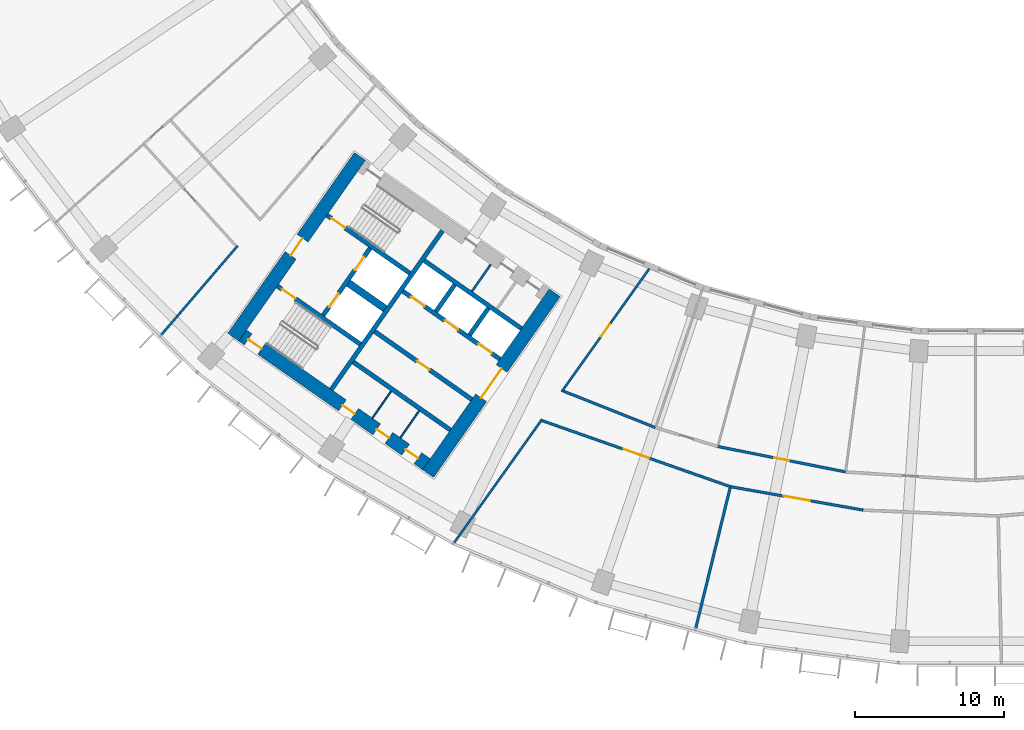
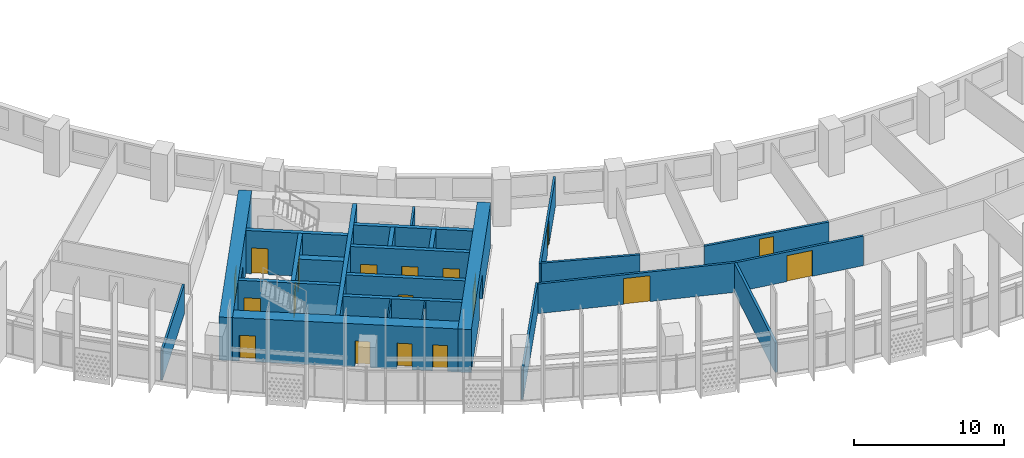
# One storey, part 3 of 29: 25 walls, 18 doors, 18 openings.
"""IFC4 building model written with IfcOpenShell, lengths in metres."""

from ifc_helpers import new_model, si_unit, direction, frame, frame_2d, origin, place, context, subcontext, project, spatial, rectangle, extrude, material, layer, layer_set, type_object, element, fill, save


model = new_model("IFC4")

# Units and contexts
model_context = context("Model", 3, precision=1e-05, world=origin(), true_north=direction((0.0, 1.0)))
body_context = subcontext(model_context, "Body", "Model", "MODEL_VIEW")
ifc_project = project(units=[si_unit("LENGTHUNIT", "METRE"), si_unit("AREAUNIT", "SQUARE_METRE"), si_unit("VOLUMEUNIT", "CUBIC_METRE"), si_unit("PLANEANGLEUNIT", "RADIAN"), si_unit("MASSUNIT", "GRAM", prefix="KILO")], contexts=[model_context])

# Site, building, storey
site_placement = place(None, origin())
site = spatial("IfcSite", under=ifc_project, at=site_placement, CompositionType="ELEMENT")
building_placement = place(site_placement, origin())
building = spatial("IfcBuilding", under=site, at=building_placement, Name="Qamariyya Broadcast Tower", CompositionType="ELEMENT")
storey_placement = place(building_placement, frame((0.0, 0.0, 132.89990234375)))
storey = spatial("IfcBuildingStorey", under=building, at=storey_placement, Name="L30", CompositionType="ELEMENT", Elevation=132.89990234375)

# Wall, opening, door
ifc_material_1 = material(Name="Concrete C70/85", Category="concrete")
ifc_layer_1 = layer(ifc_material_1, 0.89990234375)
ifc_layer_set_1 = layer_set([ifc_layer_1], Name="Core wall 900 mm Concrete C70/85")
wall_type_1 = type_object("IfcWallType", Name="Core wall 900 mm Concrete C70/85", PredefinedType="SHEAR", material=ifc_layer_set_1)
wall_1_placement = place(storey_placement, frame((-36.716796875, -66.3369140625, 0.0), z_axis=(0.0, 0.0, 1.0), x_axis=(0.573577477574, 0.819151315216, 0.0)))
wall_1 = element("IfcWall", 1, at=wall_1_placement, inside=storey, type_object=wall_type_1, Name="k-W-L30-WA", PredefinedType="SHEAR", context=body_context, shape_type="SweptSolid", body=[
    extrude(rectangle(XDim=14.800048828125, YDim=0.89990234375, at=frame_2d((7.39990234375, 0.0))), origin(), (0.0, 0.0, 1.0), 3.5),
])
opening_1_placement = place(wall_1_placement, frame((6.199951171875, 0.0, 0.0)))
opening_1 = element("IfcOpeningElement", 2, at=opening_1_placement, cuts=wall_1, Name="Opening KD3-W1", PredefinedType="OPENING", context=body_context, shape_type="SweptSolid", body=[
    extrude(rectangle(XDim=2.39990234375, YDim=2.10009765625, at=frame_2d((1.199951171875, 1.050048828125))), frame((0.0, 0.4599609375, 0.0), z_axis=(0.0, -1.0, 0.0), x_axis=(1.0, 0.0, 0.0)), (0.0, 0.0, 1.0), 0.919921875),
])
ifc_material_2 = material(Name="Steel fire-resisting door leaf", Category="steel")
door_type_1 = type_object("IfcDoorType", Name="Lift lobby door KD3", OperationType="DOUBLE_DOOR_SINGLE_SWING", PredefinedType="DOOR", material=ifc_material_2)
door_1_placement = place(opening_1_placement, origin())
door_1 = element("IfcDoor", 3, at=door_1_placement, inside=storey, type_object=door_type_1, Name="k-W-L30-WA-D1", OperationType="DOUBLE_DOOR_SINGLE_SWING", OverallHeight=2.10009765625, OverallWidth=2.39990234375, PredefinedType="DOOR", context=body_context, shape_type="SweptSolid", body=[
    extrude(rectangle(XDim=2.39990234375, YDim=2.10009765625, at=frame_2d((1.199951171875, 1.050048828125))), frame((0.0, 0.02490234375, 0.0), z_axis=(0.0, -1.0, 0.0), x_axis=(1.0, 0.0, 0.0)), (0.0, 0.0, 1.0), 0.050048828125),
])
fill(opening_1, door_1)

wall_2_placement = place(storey_placement, frame((-49.778564453125, -57.191162109375, 0.0), z_axis=(0.0, 0.0, 1.0), x_axis=(0.573577477574, 0.819151315216, 0.0)))
wall_2 = element("IfcWall", 4, at=wall_2_placement, inside=storey, type_object=wall_type_1, Name="k-W-L30-WH", PredefinedType="SHEAR", context=body_context, shape_type="SweptSolid", body=[
    extrude(rectangle(XDim=14.800048828125, YDim=0.89990234375, at=frame_2d((7.39990234375, 0.0))), origin(), (0.0, 0.0, 1.0), 3.5),
])
opening_2_placement = place(wall_2_placement, frame((6.699951171875, 0.0, 0.0)))
opening_2 = element("IfcOpeningElement", 5, at=opening_2_placement, cuts=wall_2, Name="Opening KD2-W1", PredefinedType="OPENING", context=body_context, shape_type="SweptSolid", body=[
    extrude(rectangle(XDim=1.39990234375, YDim=2.10009765625, at=frame_2d((0.699951171875, 1.050048828125))), frame((0.0, 0.4599609375, 0.0), z_axis=(0.0, -1.0, 0.0), x_axis=(1.0, 0.0, 0.0)), (0.0, 0.0, 1.0), 0.919921875),
])
door_type_2 = type_object("IfcDoorType", Name="Fire-fighting lobby door KD2", OperationType="DOUBLE_DOOR_SINGLE_SWING", PredefinedType="DOOR", material=ifc_material_2)
door_2_placement = place(opening_2_placement, origin())
door_2 = element("IfcDoor", 6, at=door_2_placement, inside=storey, type_object=door_type_2, Name="k-W-L30-WH-D14", OperationType="DOUBLE_DOOR_SINGLE_SWING", OverallHeight=2.10009765625, OverallWidth=1.39990234375, PredefinedType="DOOR", context=body_context, shape_type="SweptSolid", body=[
    extrude(rectangle(XDim=1.39990234375, YDim=2.10009765625, at=frame_2d((0.699951171875, 1.050048828125))), frame((0.0, 0.02490234375, 0.0), z_axis=(0.0, -1.0, 0.0), x_axis=(1.0, 0.0, 0.0)), (0.0, 0.0, 1.0), 0.050048828125),
])
fill(opening_2, door_2)

# Wall, openings, doors
wall_3_placement = place(storey_placement, frame((-36.827392578125, -65.710205078125, 0.0), z_axis=(0.0, 0.0, 1.0), x_axis=(-0.819153391756, 0.573574511963, 0.0)))
wall_3 = element("IfcWall", 7, at=wall_3_placement, inside=storey, type_object=wall_type_1, Name="k-W-L30-WO", PredefinedType="SHEAR", context=body_context, shape_type="SweptSolid", body=[
    extrude(rectangle(XDim=15.04541015625, YDim=0.89990234375, at=frame_2d((7.522705078125, 0.0))), origin(), (0.0, 0.0, 1.0), 3.5),
])
opening_3_placement = place(wall_3_placement, frame((0.699951171875, 0.0, 0.0)))
opening_3 = element("IfcOpeningElement", 8, at=opening_3_placement, cuts=wall_3, Name="Opening KD6-W3", PredefinedType="OPENING", context=body_context, shape_type="SweptSolid", body=[
    extrude(rectangle(XDim=1.0, YDim=2.10009765625, at=frame_2d((0.5, 1.050048828125))), frame((0.0, 0.4599609375, 0.0), z_axis=(0.0, -1.0, 0.0), x_axis=(1.0, 0.0, 0.0)), (0.0, 0.0, 1.0), 0.919921875),
])
opening_4_placement = place(wall_3_placement, frame((3.074951171875, 0.0, 0.0)))
opening_4 = element("IfcOpeningElement", 9, at=opening_4_placement, cuts=wall_3, Name="Opening KD4-W1", PredefinedType="OPENING", context=body_context, shape_type="SweptSolid", body=[
    extrude(rectangle(XDim=1.0, YDim=2.10009765625, at=frame_2d((0.5, 1.050048828125))), frame((0.0, 0.4599609375, 0.0), z_axis=(0.0, -1.0, 0.0), x_axis=(1.0, 0.0, 0.0)), (0.0, 0.0, 1.0), 0.919921875),
])
opening_5_placement = place(wall_3_placement, frame((5.875, 0.0, 0.0)))
opening_5 = element("IfcOpeningElement", 10, at=opening_5_placement, cuts=wall_3, Name="Opening KD4-W2", PredefinedType="OPENING", context=body_context, shape_type="SweptSolid", body=[
    extrude(rectangle(XDim=1.0, YDim=2.10009765625, at=frame_2d((0.5, 1.050048828125))), frame((0.0, 0.4599609375, 0.0), z_axis=(0.0, -1.0, 0.0), x_axis=(1.0, 0.0, 0.0)), (0.0, 0.0, 1.0), 0.919921875),
])
opening_6_placement = place(wall_3_placement, frame((13.495361328125, 0.0, 0.0)))
opening_6 = element("IfcOpeningElement", 11, at=opening_6_placement, cuts=wall_3, Name="Opening KD1-W3", PredefinedType="OPENING", context=body_context, shape_type="SweptSolid", body=[
    extrude(rectangle(XDim=1.10009765625, YDim=2.10009765625, at=frame_2d((0.550048828125, 1.050048828125))), frame((0.0, 0.4599609375, 0.0), z_axis=(0.0, -1.0, 0.0), x_axis=(1.0, 0.0, 0.0)), (0.0, 0.0, 1.0), 0.919921875),
])
door_type_3 = type_object("IfcDoorType", Name="Core room door KD6", OperationType="SINGLE_SWING_LEFT", PredefinedType="DOOR", material=ifc_material_2)
door_3_placement = place(opening_3_placement, origin())
door_3 = element("IfcDoor", 12, at=door_3_placement, inside=storey, type_object=door_type_3, Name="k-W-L30-WO-D9", OperationType="SINGLE_SWING_RIGHT", OverallHeight=2.10009765625, OverallWidth=1.0, PredefinedType="DOOR", context=body_context, shape_type="SweptSolid", body=[
    extrude(rectangle(XDim=1.0, YDim=2.10009765625, at=frame_2d((0.5, 1.050048828125))), frame((0.0, 0.02490234375, 0.0), z_axis=(0.0, -1.0, 0.0), x_axis=(1.0, 0.0, 0.0)), (0.0, 0.0, 1.0), 0.050048828125),
])
fill(opening_3, door_3)
door_type_4 = type_object("IfcDoorType", Name="Riser and plant door KD4", OperationType="SINGLE_SWING_LEFT", PredefinedType="DOOR", material=ifc_material_2)
door_4_placement = place(opening_4_placement, origin())
door_4 = element("IfcDoor", 13, at=door_4_placement, inside=storey, type_object=door_type_4, Name="k-W-L30-WO-D10", OperationType="SINGLE_SWING_LEFT", OverallHeight=2.10009765625, OverallWidth=1.0, PredefinedType="DOOR", context=body_context, shape_type="SweptSolid", body=[
    extrude(rectangle(XDim=1.0, YDim=2.10009765625, at=frame_2d((0.5, 1.050048828125))), frame((0.0, 0.02490234375, 0.0), z_axis=(0.0, -1.0, 0.0), x_axis=(1.0, 0.0, 0.0)), (0.0, 0.0, 1.0), 0.050048828125),
])
fill(opening_4, door_4)
door_5_placement = place(opening_5_placement, origin())
door_5 = element("IfcDoor", 14, at=door_5_placement, inside=storey, type_object=door_type_4, Name="k-W-L30-WO-D11", OperationType="SINGLE_SWING_RIGHT", OverallHeight=2.10009765625, OverallWidth=1.0, PredefinedType="DOOR", context=body_context, shape_type="SweptSolid", body=[
    extrude(rectangle(XDim=1.0, YDim=2.10009765625, at=frame_2d((0.5, 1.050048828125))), frame((0.0, 0.02490234375, 0.0), z_axis=(0.0, -1.0, 0.0), x_axis=(1.0, 0.0, 0.0)), (0.0, 0.0, 1.0), 0.050048828125),
])
fill(opening_5, door_5)
door_type_5 = type_object("IfcDoorType", Name="Stair door KD1", OperationType="SINGLE_SWING_LEFT", PredefinedType="DOOR", material=ifc_material_2)
door_6_placement = place(opening_6_placement, origin())
door_6 = element("IfcDoor", 15, at=door_6_placement, inside=storey, type_object=door_type_5, Name="k-W-L30-WO-D17", OperationType="SINGLE_SWING_LEFT", OverallHeight=2.10009765625, OverallWidth=1.10009765625, PredefinedType="DOOR", context=body_context, shape_type="SweptSolid", body=[
    extrude(rectangle(XDim=1.10009765625, YDim=2.10009765625, at=frame_2d((0.550048828125, 1.050048828125))), frame((0.0, 0.02490234375, 0.0), z_axis=(0.0, -1.0, 0.0), x_axis=(1.0, 0.0, 0.0)), (0.0, 0.0, 1.0), 0.050048828125),
])
fill(opening_6, door_6)

# Walls
ifc_material_3 = material(Name="Gypsum board partition")
ifc_layer_2 = layer(ifc_material_3, 0.14990234375)
ifc_layer_set_2 = layer_set([ifc_layer_2], Name="Corridor partition 150 EI 60")
wall_type_2 = type_object("IfcWallType", Name="Corridor partition 150 EI 60", PredefinedType="PARTITIONING", material=ifc_layer_set_2)
wall_4_placement = place(storey_placement, frame((-49.498779296875, -51.074951171875, 0.0), z_axis=(0.0, 0.0, 1.0), x_axis=(-0.65099144956, -0.759085062823, 0.0)))
element("IfcWall", 16, at=wall_4_placement, inside=storey, type_object=wall_type_2, Name="Partition L30-005", PredefinedType="PARTITIONING", context=body_context, shape_type="SweptSolid", body=[
    extrude(rectangle(XDim=7.83740234375, YDim=0.14990234375, at=frame_2d((3.918701171875, 0.0))), origin(), (0.0, 0.0, 1.0), 2.400146484375),
])
wall_5_placement = place(storey_placement, frame((-29.075439453125, -62.697998046875, 0.0), z_axis=(0.0, 0.0, 1.0), x_axis=(-0.58002146853, -0.814601188339, 0.0)))
element("IfcWall", 17, at=wall_5_placement, inside=storey, type_object=wall_type_2, Name="Partition L30-008", PredefinedType="PARTITIONING", context=body_context, shape_type="SweptSolid", body=[
    extrude(rectangle(XDim=10.14111328125, YDim=0.14990234375, at=frame_2d((5.070556640625, 0.0))), origin(), (0.0, 0.0, 1.0), 2.400146484375),
])

# Wall, opening, door
wall_6_placement = place(storey_placement, frame((-21.8837890625, -52.59765625, 0.0), z_axis=(0.0, 0.0, 1.0), x_axis=(-0.580023139251, -0.814599998732, 0.0)))
wall_6 = element("IfcWall", 18, at=wall_6_placement, inside=storey, type_object=wall_type_2, Name="Partition L30-011", PredefinedType="PARTITIONING", context=body_context, shape_type="SweptSolid", body=[
    extrude(rectangle(XDim=10.135986328125, YDim=0.14990234375, at=frame_2d((5.06787109375, 0.0))), origin(), (0.0, 0.0, 1.0), 2.400146484375),
])
opening_7_placement = place(wall_6_placement, frame((4.568115234375, 0.0, 0.0)))
opening_7 = element("IfcOpeningElement", 19, at=opening_7_placement, cuts=wall_6, Name="Opening L30-D05", PredefinedType="OPENING", context=body_context, shape_type="SweptSolid", body=[
    extrude(rectangle(XDim=1.0, YDim=2.10009765625, at=frame_2d((0.5, 1.050048828125))), frame((0.0, 0.0849609375, 0.0), z_axis=(0.0, -1.0, 0.0), x_axis=(1.0, 0.0, 0.0)), (0.0, 0.0, 1.0), 0.169921875),
])
ifc_material_4 = material(Name="Timber fire door leaf", Category="wood")
door_type_6 = type_object("IfcDoorType", Name="Fire door 1000 x 2100 FD60", OperationType="NOTDEFINED", PredefinedType="DOOR", material=ifc_material_4)
door_7_placement = place(opening_7_placement, origin())
door_7 = element("IfcDoor", 20, at=door_7_placement, inside=storey, type_object=door_type_6, Name="Door L30-D05", OperationType="SINGLE_SWING_RIGHT", OverallHeight=2.10009765625, OverallWidth=1.0, PredefinedType="DOOR", context=body_context, shape_type="SweptSolid", body=[
    extrude(rectangle(XDim=1.0, YDim=2.10009765625, at=frame_2d((0.5, 1.050048828125))), frame((0.0, 0.02490234375, 0.0), z_axis=(0.0, -1.0, 0.0), x_axis=(1.0, 0.0, 0.0)), (0.0, 0.0, 1.0), 0.050048828125),
])
fill(opening_7, door_7)

# Walls
ifc_material_5 = material(Name="Concrete C60/75", Category="concrete")
ifc_layer_3 = layer(ifc_material_5, 0.5)
ifc_layer_set_3 = layer_set([ifc_layer_3], Name="Fire-fighting lobby divider wall 500 mm Concrete C60/75")
wall_type_3 = type_object("IfcWallType", Name="Fire-fighting lobby divider wall 500 mm Concrete C60/75", PredefinedType="SOLIDWALL", material=ifc_layer_set_3)
wall_7_placement = place(storey_placement, frame((-39.59912109375, -55.28515625, 0.0), z_axis=(0.0, 0.0, 1.0), x_axis=(-0.819136323161, 0.573598887793, 0.0)))
element("IfcWall", 21, at=wall_7_placement, inside=storey, type_object=wall_type_3, Name="k-W-L30-FD", PredefinedType="SOLIDWALL", context=body_context, shape_type="SweptSolid", body=[
    extrude(rectangle(XDim=2.999755859375, YDim=0.5, at=frame_2d((1.5, 0.0))), origin(), (0.0, 0.0, 1.0), 3.5),
])
ifc_material_6 = material(Name="Gypsum board partition on steel studs", Category="steel")
ifc_layer_4 = layer(ifc_material_6, 0.14990234375)
ifc_layer_set_4 = layer_set([ifc_layer_4], Name="Gypsum board partition 150 mm")
wall_type_4 = type_object("IfcWallType", Name="Gypsum board partition 150 mm", PredefinedType="PARTITIONING", material=ifc_layer_set_4)
wall_8_placement = place(storey_placement, frame((-33.774169921875, -54.114501953125, 0.0), z_axis=(0.0, 0.0, 1.0), x_axis=(0.573581496053, 0.819148501424, 0.0)))
element("IfcWall", 22, at=wall_8_placement, inside=storey, type_object=wall_type_4, Name="k-W-L30-NP415", PredefinedType="PARTITIONING", context=body_context, shape_type="SweptSolid", body=[
    extrude(rectangle(XDim=2.2001953125, YDim=0.14990234375, at=frame_2d((1.10009765625, 0.0))), origin(), (0.0, 0.0, 1.0), 3.5),
])
ifc_layer_5 = layer(ifc_material_5, 0.300048828125)
ifc_layer_set_5 = layer_set([ifc_layer_5], Name="Lift shaft wall 300 mm Concrete C60/75")
wall_type_5 = type_object("IfcWallType", Name="Lift shaft wall 300 mm Concrete C60/75", PredefinedType="SOLIDWALL", material=ifc_layer_set_5)
wall_9_placement = place(storey_placement, frame((-43.204345703125, -60.69580078125, 0.0), z_axis=(0.0, 0.0, 1.0), x_axis=(0.573571992966, 0.819155155563, 0.0)))
element("IfcWall", 23, at=wall_9_placement, inside=storey, type_object=wall_type_5, Name="k-W-L30-WL", PredefinedType="SOLIDWALL", context=body_context, shape_type="SweptSolid", body=[
    extrude(rectangle(XDim=13.000244140625, YDim=0.300048828125, at=frame_2d((6.5, 0.0))), origin(), (0.0, 0.0, 1.0), 3.5),
])

# Wall, openings, doors
wall_10_placement = place(storey_placement, frame((-31.89453125, -58.66552734375, 0.0), z_axis=(0.0, 0.0, 1.0), x_axis=(-0.819166993208, 0.573555086491, 0.0)))
wall_10 = element("IfcWall", 24, at=wall_10_placement, inside=storey, type_object=wall_type_5, Name="k-W-L30-NF0", PredefinedType="SOLIDWALL", context=body_context, shape_type="SweptSolid", body=[
    extrude(rectangle(XDim=7.9501953125, YDim=0.300048828125, at=frame_2d((3.97509765625, 0.0))), origin(), (0.0, 0.0, 1.0), 3.5),
])
opening_8_placement = place(wall_10_placement, frame((0.675048828125, 0.0, 0.0)))
opening_8 = element("IfcOpeningElement", 25, at=opening_8_placement, cuts=wall_10, Name="Opening LD", PredefinedType="OPENING", context=body_context, shape_type="SweptSolid", body=[
    extrude(rectangle(XDim=1.10009765625, YDim=2.10009765625, at=frame_2d((0.550048828125, 1.050048828125))), frame((0.0, 0.159912109375, 0.0), z_axis=(0.0, -1.0, 0.0), x_axis=(1.0, 0.0, 0.0)), (0.0, 0.0, 1.0), 0.320068359375),
])
opening_9_placement = place(wall_10_placement, frame((3.425048828125, 0.0, 0.0)))
opening_9 = element("IfcOpeningElement", 26, at=opening_9_placement, cuts=wall_10, Name="Opening LD", PredefinedType="OPENING", context=body_context, shape_type="SweptSolid", body=[
    extrude(rectangle(XDim=1.10009765625, YDim=2.10009765625, at=frame_2d((0.550048828125, 1.050048828125))), frame((0.0, 0.159912109375, 0.0), z_axis=(0.0, -1.0, 0.0), x_axis=(1.0, 0.0, 0.0)), (0.0, 0.0, 1.0), 0.320068359375),
])
opening_10_placement = place(wall_10_placement, frame((6.175048828125, 0.0, 0.0)))
opening_10 = element("IfcOpeningElement", 27, at=opening_10_placement, cuts=wall_10, Name="Opening LD", PredefinedType="OPENING", context=body_context, shape_type="SweptSolid", body=[
    extrude(rectangle(XDim=1.10009765625, YDim=2.10009765625, at=frame_2d((0.550048828125, 1.050048828125))), frame((0.0, 0.159912109375, 0.0), z_axis=(0.0, -1.0, 0.0), x_axis=(1.0, 0.0, 0.0)), (0.0, 0.0, 1.0), 0.320068359375),
])
door_type_7 = type_object("IfcDoorType", Name="Lift landing door LD", OperationType="DOUBLE_DOOR_SLIDING", PredefinedType="DOOR", material=ifc_material_2)
door_8_placement = place(opening_8_placement, origin())
door_8 = element("IfcDoor", 28, at=door_8_placement, inside=storey, type_object=door_type_7, Name="k-W-L30-NF0-D2", OperationType="DOUBLE_DOOR_SLIDING", OverallHeight=2.10009765625, OverallWidth=1.10009765625, PredefinedType="DOOR", context=body_context, shape_type="SweptSolid", body=[
    extrude(rectangle(XDim=1.10009765625, YDim=2.10009765625, at=frame_2d((0.550048828125, 1.050048828125))), frame((0.0, 0.02490234375, 0.0), z_axis=(0.0, -1.0, 0.0), x_axis=(1.0, 0.0, 0.0)), (0.0, 0.0, 1.0), 0.050048828125),
])
fill(opening_8, door_8)
door_9_placement = place(opening_9_placement, origin())
door_9 = element("IfcDoor", 29, at=door_9_placement, inside=storey, type_object=door_type_7, Name="k-W-L30-NF0-D3", OperationType="DOUBLE_DOOR_SLIDING", OverallHeight=2.10009765625, OverallWidth=1.10009765625, PredefinedType="DOOR", context=body_context, shape_type="SweptSolid", body=[
    extrude(rectangle(XDim=1.10009765625, YDim=2.10009765625, at=frame_2d((0.550048828125, 1.050048828125))), frame((0.0, 0.02490234375, 0.0), z_axis=(0.0, -1.0, 0.0), x_axis=(1.0, 0.0, 0.0)), (0.0, 0.0, 1.0), 0.050048828125),
])
fill(opening_9, door_9)
door_10_placement = place(opening_10_placement, origin())
door_10 = element("IfcDoor", 30, at=door_10_placement, inside=storey, type_object=door_type_7, Name="k-W-L30-NF0-D4", OperationType="DOUBLE_DOOR_SLIDING", OverallHeight=2.10009765625, OverallWidth=1.10009765625, PredefinedType="DOOR", context=body_context, shape_type="SweptSolid", body=[
    extrude(rectangle(XDim=1.10009765625, YDim=2.10009765625, at=frame_2d((0.550048828125, 1.050048828125))), frame((0.0, 0.02490234375, 0.0), z_axis=(0.0, -1.0, 0.0), x_axis=(1.0, 0.0, 0.0)), (0.0, 0.0, 1.0), 0.050048828125),
])
fill(opening_10, door_10)

# Walls
wall_11_placement = place(storey_placement, frame((-30.460693359375, -56.61767578125, 0.0), z_axis=(0.0, 0.0, 1.0), x_axis=(-0.819142461705, 0.573590121456, 0.0)))
element("IfcWall", 31, at=wall_11_placement, inside=storey, type_object=wall_type_5, Name="k-W-L30-NB0", PredefinedType="SOLIDWALL", context=body_context, shape_type="SweptSolid", body=[
    extrude(rectangle(XDim=7.949951171875, YDim=0.300048828125, at=frame_2d((3.97509765625, 0.0))), origin(), (0.0, 0.0, 1.0), 3.5),
])
wall_12_placement = place(storey_placement, frame((-33.9384765625, -57.051513671875, 0.0), z_axis=(0.0, 0.0, 1.0), x_axis=(0.573581496053, 0.819148501424, 0.0)))
element("IfcWall", 32, at=wall_12_placement, inside=storey, type_object=wall_type_5, Name="k-W-L30-ND0", PredefinedType="SOLIDWALL", context=body_context, shape_type="SweptSolid", body=[
    extrude(rectangle(XDim=2.2001953125, YDim=0.300048828125, at=frame_2d((1.10009765625, 0.0))), origin(), (0.0, 0.0, 1.0), 3.5),
])
wall_13_placement = place(storey_placement, frame((-36.19091796875, -55.47412109375, 0.0), z_axis=(0.0, 0.0, 1.0), x_axis=(0.573507030513, 0.819200638399, 0.0)))
element("IfcWall", 33, at=wall_13_placement, inside=storey, type_object=wall_type_5, Name="k-W-L30-ND1", PredefinedType="SOLIDWALL", context=body_context, shape_type="SweptSolid", body=[
    extrude(rectangle(XDim=2.199951171875, YDim=0.300048828125, at=frame_2d((1.10009765625, 0.0))), origin(), (0.0, 0.0, 1.0), 3.5),
])

# Wall, opening, door
wall_14_placement = place(storey_placement, frame((-33.787353515625, -61.368896484375, 0.0), z_axis=(0.0, 0.0, 1.0), x_axis=(-0.819152564888, 0.573575692858, 0.0)))
wall_14 = element("IfcWall", 34, at=wall_14_placement, inside=storey, type_object=wall_type_5, Name="k-W-L30-SF0", PredefinedType="SOLIDWALL", context=body_context, shape_type="SweptSolid", body=[
    extrude(rectangle(XDim=7.9501953125, YDim=0.300048828125, at=frame_2d((3.97509765625, 0.0))), origin(), (0.0, 0.0, 1.0), 3.5),
])
opening_11_placement = place(wall_14_placement, frame((3.47509765625, 0.0, 0.0)))
opening_11 = element("IfcOpeningElement", 35, at=opening_11_placement, cuts=wall_14, Name="Opening KD6-W1", PredefinedType="OPENING", context=body_context, shape_type="SweptSolid", body=[
    extrude(rectangle(XDim=1.0, YDim=2.10009765625, at=frame_2d((0.5, 1.050048828125))), frame((0.0, 0.159912109375, 0.0), z_axis=(0.0, -1.0, 0.0), x_axis=(1.0, 0.0, 0.0)), (0.0, 0.0, 1.0), 0.320068359375),
])
door_11_placement = place(opening_11_placement, origin())
door_11 = element("IfcDoor", 36, at=door_11_placement, inside=storey, type_object=door_type_3, Name="k-W-L30-SF0-D5", OperationType="SINGLE_SWING_RIGHT", OverallHeight=2.10009765625, OverallWidth=1.0, PredefinedType="DOOR", context=body_context, shape_type="SweptSolid", body=[
    extrude(rectangle(XDim=1.0, YDim=2.10009765625, at=frame_2d((0.5, 1.050048828125))), frame((0.0, 0.02490234375, 0.0), z_axis=(0.0, -1.0, 0.0), x_axis=(1.0, 0.0, 0.0)), (0.0, 0.0, 1.0), 0.050048828125),
])
fill(opening_11, door_11)

# Wall
wall_15_placement = place(storey_placement, frame((-35.22119140625, -63.41650390625, 0.0), z_axis=(0.0, 0.0, 1.0), x_axis=(-0.819166993208, 0.573555086491, 0.0)))
element("IfcWall", 37, at=wall_15_placement, inside=storey, type_object=wall_type_5, Name="k-W-L30-SB0", PredefinedType="SOLIDWALL", context=body_context, shape_type="SweptSolid", body=[
    extrude(rectangle(XDim=7.9501953125, YDim=0.300048828125, at=frame_2d((3.97509765625, 0.0))), origin(), (0.0, 0.0, 1.0), 3.5),
])

# Wall, opening, door
wall_16_placement = place(storey_placement, frame((-37.935546875, -52.90966796875, 0.0), z_axis=(0.0, 0.0, 1.0), x_axis=(-0.819147518138, 0.57358290031, 0.0)))
wall_16 = element("IfcWall", 38, at=wall_16_placement, inside=storey, type_object=wall_type_5, Name="k-W-L30-NW", PredefinedType="SOLIDWALL", context=body_context, shape_type="SweptSolid", body=[
    extrude(rectangle(XDim=6.79541015625, YDim=0.300048828125, at=frame_2d((3.397705078125, 0.0))), origin(), (0.0, 0.0, 1.0), 3.5),
])
opening_12_placement = place(wall_16_placement, frame((5.3203125, 0.0, 0.0)))
opening_12 = element("IfcOpeningElement", 39, at=opening_12_placement, cuts=wall_16, Name="Opening KD1-W2", PredefinedType="OPENING", context=body_context, shape_type="SweptSolid", body=[
    extrude(rectangle(XDim=1.10009765625, YDim=2.10009765625, at=frame_2d((0.550048828125, 1.050048828125))), frame((0.0, 0.159912109375, 0.0), z_axis=(0.0, -1.0, 0.0), x_axis=(1.0, 0.0, 0.0)), (0.0, 0.0, 1.0), 0.320068359375),
])
door_12_placement = place(opening_12_placement, origin())
door_12 = element("IfcDoor", 40, at=door_12_placement, inside=storey, type_object=door_type_5, Name="k-W-L30-NW-D16", OperationType="SINGLE_SWING_LEFT", OverallHeight=2.10009765625, OverallWidth=1.10009765625, PredefinedType="DOOR", context=body_context, shape_type="SweptSolid", body=[
    extrude(rectangle(XDim=1.10009765625, YDim=2.10009765625, at=frame_2d((0.550048828125, 1.050048828125))), frame((0.0, 0.02490234375, 0.0), z_axis=(0.0, -1.0, 0.0), x_axis=(1.0, 0.0, 0.0)), (0.0, 0.0, 1.0), 0.050048828125),
])
fill(opening_12, door_12)

wall_17_placement = place(storey_placement, frame((-41.262451171875, -57.66064453125, 0.0), z_axis=(0.0, 0.0, 1.0), x_axis=(-0.819164398642, 0.573558792102, 0.0)))
wall_17 = element("IfcWall", 41, at=wall_17_placement, inside=storey, type_object=wall_type_5, Name="k-W-L30-SW", PredefinedType="SOLIDWALL", context=body_context, shape_type="SweptSolid", body=[
    extrude(rectangle(XDim=6.795166015625, YDim=0.300048828125, at=frame_2d((3.3974609375, 0.0))), origin(), (0.0, 0.0, 1.0), 3.5),
])
opening_13_placement = place(wall_17_placement, frame((5.3203125, 0.0, 0.0)))
opening_13 = element("IfcOpeningElement", 42, at=opening_13_placement, cuts=wall_17, Name="Opening KD1-W4", PredefinedType="OPENING", context=body_context, shape_type="SweptSolid", body=[
    extrude(rectangle(XDim=1.10009765625, YDim=2.10009765625, at=frame_2d((0.550048828125, 1.050048828125))), frame((0.0, 0.159912109375, 0.0), z_axis=(0.0, -1.0, 0.0), x_axis=(1.0, 0.0, 0.0)), (0.0, 0.0, 1.0), 0.320068359375),
])
door_13_placement = place(opening_13_placement, origin())
door_13 = element("IfcDoor", 43, at=door_13_placement, inside=storey, type_object=door_type_5, Name="k-W-L30-SW-D18", OperationType="SINGLE_SWING_LEFT", OverallHeight=2.10009765625, OverallWidth=1.10009765625, PredefinedType="DOOR", context=body_context, shape_type="SweptSolid", body=[
    extrude(rectangle(XDim=1.10009765625, YDim=2.10009765625, at=frame_2d((0.550048828125, 1.050048828125))), frame((0.0, 0.02490234375, 0.0), z_axis=(0.0, -1.0, 0.0), x_axis=(1.0, 0.0, 0.0)), (0.0, 0.0, 1.0), 0.050048828125),
])
fill(opening_13, door_13)

# Wall, openings, doors
wall_18_placement = place(storey_placement, frame((-43.756591796875, -55.731201171875, 0.0), z_axis=(0.0, 0.0, 1.0), x_axis=(0.573536818435, 0.819179783625, 0.0)))
wall_18 = element("IfcWall", 44, at=wall_18_placement, inside=storey, type_object=wall_type_5, Name="k-W-L30-FF", PredefinedType="SOLIDWALL", context=body_context, shape_type="SweptSolid", body=[
    extrude(rectangle(XDim=5.500244140625, YDim=0.300048828125, at=frame_2d((2.75, 0.0))), origin(), (0.0, 0.0, 1.0), 3.5),
])
opening_14_placement = place(wall_18_placement, frame((0.699951171875, 0.0, 0.0)))
opening_14 = element("IfcOpeningElement", 45, at=opening_14_placement, cuts=wall_18, Name="Opening LD", PredefinedType="OPENING", context=body_context, shape_type="SweptSolid", body=[
    extrude(rectangle(XDim=1.10009765625, YDim=2.10009765625, at=frame_2d((0.550048828125, 1.050048828125))), frame((0.0, 0.159912109375, 0.0), z_axis=(0.0, -1.0, 0.0), x_axis=(1.0, 0.0, 0.0)), (0.0, 0.0, 1.0), 0.320068359375),
])
opening_15_placement = place(wall_18_placement, frame((3.699951171875, 0.0, 0.0)))
opening_15 = element("IfcOpeningElement", 46, at=opening_15_placement, cuts=wall_18, Name="Opening LD", PredefinedType="OPENING", context=body_context, shape_type="SweptSolid", body=[
    extrude(rectangle(XDim=1.10009765625, YDim=2.10009765625, at=frame_2d((0.550048828125, 1.050048828125))), frame((0.0, 0.159912109375, 0.0), z_axis=(0.0, -1.0, 0.0), x_axis=(1.0, 0.0, 0.0)), (0.0, 0.0, 1.0), 0.320068359375),
])
door_14_placement = place(opening_14_placement, origin())
door_14 = element("IfcDoor", 47, at=door_14_placement, inside=storey, type_object=door_type_7, Name="k-W-L30-FF-D12", OperationType="DOUBLE_DOOR_SLIDING", OverallHeight=2.10009765625, OverallWidth=1.10009765625, PredefinedType="DOOR", context=body_context, shape_type="SweptSolid", body=[
    extrude(rectangle(XDim=1.10009765625, YDim=2.10009765625, at=frame_2d((0.550048828125, 1.050048828125))), frame((0.0, 0.02490234375, 0.0), z_axis=(0.0, -1.0, 0.0), x_axis=(1.0, 0.0, 0.0)), (0.0, 0.0, 1.0), 0.050048828125),
])
fill(opening_14, door_14)
door_15_placement = place(opening_15_placement, origin())
door_15 = element("IfcDoor", 48, at=door_15_placement, inside=storey, type_object=door_type_7, Name="k-W-L30-FF-D13", OperationType="DOUBLE_DOOR_SLIDING", OverallHeight=2.10009765625, OverallWidth=1.10009765625, PredefinedType="DOOR", context=body_context, shape_type="SweptSolid", body=[
    extrude(rectangle(XDim=1.10009765625, YDim=2.10009765625, at=frame_2d((0.550048828125, 1.050048828125))), frame((0.0, 0.02490234375, 0.0), z_axis=(0.0, -1.0, 0.0), x_axis=(1.0, 0.0, 0.0)), (0.0, 0.0, 1.0), 0.050048828125),
])
fill(opening_15, door_15)

# Walls
ifc_material_7 = material(Name="Fire-rated gypsum shaft liner on steel studs", Category="steel")
ifc_layer_6 = layer(ifc_material_7, 0.10009765625)
ifc_layer_set_6 = layer_set([ifc_layer_6], Name="Riser wall 100 mm")
wall_type_6 = type_object("IfcWallType", Name="Riser wall 100 mm", PredefinedType="PLUMBINGWALL", material=ifc_layer_set_6)
wall_19_placement = place(storey_placement, frame((-37.314208984375, -62.13427734375, 0.0), z_axis=(0.0, 0.0, 1.0), x_axis=(-0.573633636671, -0.819111989218, 0.0)))
element("IfcWall", 49, at=wall_19_placement, inside=storey, type_object=wall_type_6, Name="k-W-L30-SP245", PredefinedType="PLUMBINGWALL", context=body_context, shape_type="SweptSolid", body=[
    extrude(rectangle(XDim=2.199951171875, YDim=0.10009765625, at=frame_2d((1.10009765625, 0.0))), origin(), (0.0, 0.0, 1.0), 3.5),
])
wall_20_placement = place(storey_placement, frame((-39.1982421875, -60.81494140625, 0.0), z_axis=(0.0, 0.0, 1.0), x_axis=(-0.573581496053, -0.819148501424, 0.0)))
element("IfcWall", 50, at=wall_20_placement, inside=storey, type_object=wall_type_6, Name="k-W-L30-SP475", PredefinedType="PLUMBINGWALL", context=body_context, shape_type="SweptSolid", body=[
    extrude(rectangle(XDim=2.2001953125, YDim=0.10009765625, at=frame_2d((1.10009765625, 0.0))), origin(), (0.0, 0.0, 1.0), 3.5),
])

# Wall, opening, door
ifc_layer_7 = layer(ifc_material_3, 0.179931640625)
ifc_layer_set_7 = layer_set([ifc_layer_7], Name="Studio acoustic partition 180 EI 60")
wall_type_7 = type_object("IfcWallType", Name="Studio acoustic partition 180 EI 60", PredefinedType="PARTITIONING", material=ifc_layer_set_7)
wall_21_placement = place(storey_placement, frame((-16.446044921875, -67.21728515625, 0.0), z_axis=(0.0, 0.0, 1.0), x_axis=(-0.943684765834, 0.330845980378, 0.0)))
wall_21 = element("IfcWall", 51, at=wall_21_placement, inside=storey, type_object=wall_type_7, Name="Partition L30-009", PredefinedType="PARTITIONING", context=body_context, shape_type="SweptSolid", body=[
    extrude(rectangle(XDim=13.363037109375, YDim=0.179931640625, at=frame_2d((6.681640625, 0.0))), origin(), (0.0, 0.0, 1.0), 2.400146484375),
])
opening_16_placement = place(wall_21_placement, frame((5.78173828125, 0.0, 0.0)))
opening_16 = element("IfcOpeningElement", 52, at=opening_16_placement, cuts=wall_21, Name="Opening L30-D01", PredefinedType="OPENING", context=body_context, shape_type="SweptSolid", body=[
    extrude(rectangle(XDim=1.800048828125, YDim=2.10009765625, at=frame_2d((0.89990234375, 1.050048828125))), frame((0.0, 0.099853515625, 0.0), z_axis=(0.0, -1.0, 0.0), x_axis=(1.0, 0.0, 0.0)), (0.0, 0.0, 1.0), 0.199951171875),
])
door_type_8 = type_object("IfcDoorType", Name="Double fire door 1800 x 2100 FD60", OperationType="NOTDEFINED", PredefinedType="DOOR", material=ifc_material_4)
door_16_placement = place(opening_16_placement, origin())
door_16 = element("IfcDoor", 53, at=door_16_placement, inside=storey, type_object=door_type_8, Name="Door L30-D01", OperationType="DOUBLE_DOOR_SINGLE_SWING", OverallHeight=2.10009765625, OverallWidth=1.800048828125, PredefinedType="DOOR", context=body_context, shape_type="SweptSolid", body=[
    extrude(rectangle(XDim=1.800048828125, YDim=2.10009765625, at=frame_2d((0.89990234375, 1.050048828125))), frame((0.0, 0.02490234375, 0.0), z_axis=(0.0, -1.0, 0.0), x_axis=(1.0, 0.0, 0.0)), (0.0, 0.0, 1.0), 0.050048828125),
])
fill(opening_16, door_16)

# Walls
wall_22_placement = place(storey_placement, frame((-27.640869140625, -60.808837890625, 0.0), z_axis=(0.0, 0.0, 1.0), x_axis=(0.929586380114, -0.368604343308, 0.0)))
element("IfcWall", 54, at=wall_22_placement, inside=storey, type_object=wall_type_7, Name="Partition L30-010", PredefinedType="PARTITIONING", context=body_context, shape_type="SweptSolid", body=[
    extrude(rectangle(XDim=6.635986328125, YDim=0.179931640625, at=frame_2d((3.31787109375, 0.0))), origin(), (0.0, 0.0, 1.0), 2.400146484375),
])
wall_23_placement = place(storey_placement, frame((-18.762939453125, -76.68701171875, 0.0), z_axis=(0.0, 0.0, 1.0), x_axis=(0.237667739981, 0.971346511484, 0.0)))
element("IfcWall", 55, at=wall_23_placement, inside=storey, type_object=wall_type_7, Name="Partition L30-013", PredefinedType="PARTITIONING", context=body_context, shape_type="SweptSolid", body=[
    extrude(rectangle(XDim=9.6591796875, YDim=0.179931640625, at=frame_2d((4.82958984375, 0.0))), origin(), (0.0, 0.0, 1.0), 2.400146484375),
])

# Wall, opening, door
wall_24_placement = place(storey_placement, frame((-17.2890625, -64.52392578125, 0.0), z_axis=(0.0, 0.0, 1.0), x_axis=(0.980786466832, -0.195084357342, 0.0)))
wall_24 = element("IfcWall", 56, at=wall_24_placement, inside=storey, type_object=wall_type_7, Name="Partition L30-015", PredefinedType="PARTITIONING", context=body_context, shape_type="SweptSolid", body=[
    extrude(rectangle(XDim=8.73779296875, YDim=0.179931640625, at=frame_2d((4.368896484375, 0.0))), origin(), (0.0, 0.0, 1.0), 2.400146484375),
])
opening_17_placement = place(wall_24_placement, frame((3.868896484375, 0.0, 0.0)))
opening_17 = element("IfcOpeningElement", 57, at=opening_17_placement, cuts=wall_24, Name="Opening L30-D07", PredefinedType="OPENING", context=body_context, shape_type="SweptSolid", body=[
    extrude(rectangle(XDim=1.0, YDim=2.10009765625, at=frame_2d((0.5, 1.050048828125))), frame((0.0, 0.099853515625, 0.0), z_axis=(0.0, -1.0, 0.0), x_axis=(1.0, 0.0, 0.0)), (0.0, 0.0, 1.0), 0.199951171875),
])
door_17_placement = place(opening_17_placement, origin())
door_17 = element("IfcDoor", 58, at=door_17_placement, inside=storey, type_object=door_type_6, Name="Door L30-D07", OperationType="SINGLE_SWING_RIGHT", OverallHeight=2.10009765625, OverallWidth=1.0, PredefinedType="DOOR", context=body_context, shape_type="SweptSolid", body=[
    extrude(rectangle(XDim=1.0, YDim=2.10009765625, at=frame_2d((0.5, 1.050048828125))), frame((0.0, 0.02490234375, 0.0), z_axis=(0.0, -1.0, 0.0), x_axis=(1.0, 0.0, 0.0)), (0.0, 0.0, 1.0), 0.050048828125),
])
fill(opening_17, door_17)

wall_25_placement = place(storey_placement, frame((-7.54052734375, -68.787353515625, 0.0), z_axis=(0.0, 0.0, 1.0), x_axis=(-0.984811812319, 0.173625154619, 0.0)))
wall_25 = element("IfcWall", 59, at=wall_25_placement, inside=storey, type_object=wall_type_7, Name="Partition L30-016", PredefinedType="PARTITIONING", context=body_context, shape_type="SweptSolid", body=[
    extrude(rectangle(XDim=9.04296875, YDim=0.179931640625, at=frame_2d((4.521484375, 0.0))), origin(), (0.0, 0.0, 1.0), 2.400146484375),
])
opening_18_placement = place(wall_25_placement, frame((3.621337890625, 0.0, 0.0)))
opening_18 = element("IfcOpeningElement", 60, at=opening_18_placement, cuts=wall_25, Name="Opening L30-D02", PredefinedType="OPENING", context=body_context, shape_type="SweptSolid", body=[
    extrude(rectangle(XDim=1.800048828125, YDim=2.10009765625, at=frame_2d((0.89990234375, 1.050048828125))), frame((0.0, 0.099853515625, 0.0), z_axis=(0.0, -1.0, 0.0), x_axis=(1.0, 0.0, 0.0)), (0.0, 0.0, 1.0), 0.199951171875),
])
door_18_placement = place(opening_18_placement, origin())
door_18 = element("IfcDoor", 61, at=door_18_placement, inside=storey, type_object=door_type_8, Name="Door L30-D02", OperationType="DOUBLE_DOOR_SINGLE_SWING", OverallHeight=2.10009765625, OverallWidth=1.800048828125, PredefinedType="DOOR", context=body_context, shape_type="SweptSolid", body=[
    extrude(rectangle(XDim=1.800048828125, YDim=2.10009765625, at=frame_2d((0.89990234375, 1.050048828125))), frame((0.0, 0.02490234375, 0.0), z_axis=(0.0, -1.0, 0.0), x_axis=(1.0, 0.0, 0.0)), (0.0, 0.0, 1.0), 0.050048828125),
])
fill(opening_18, door_18)

save(model, "model.ifc")
